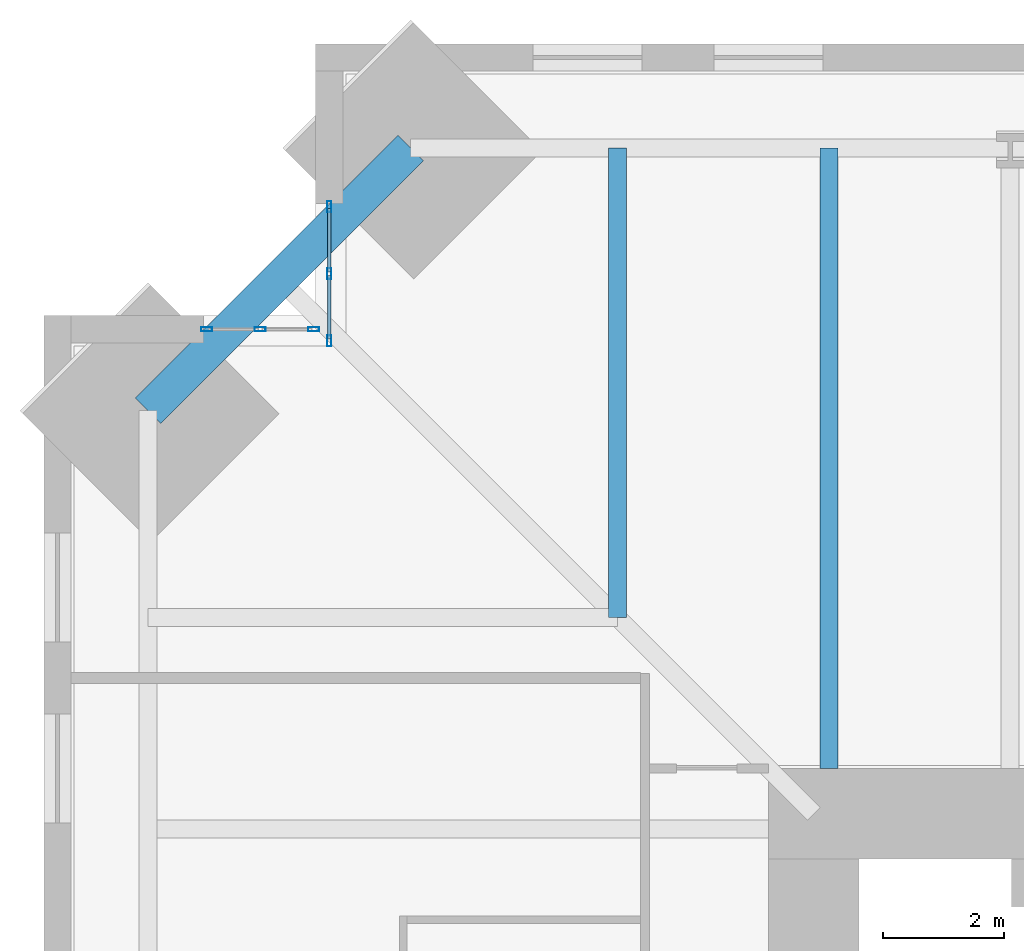
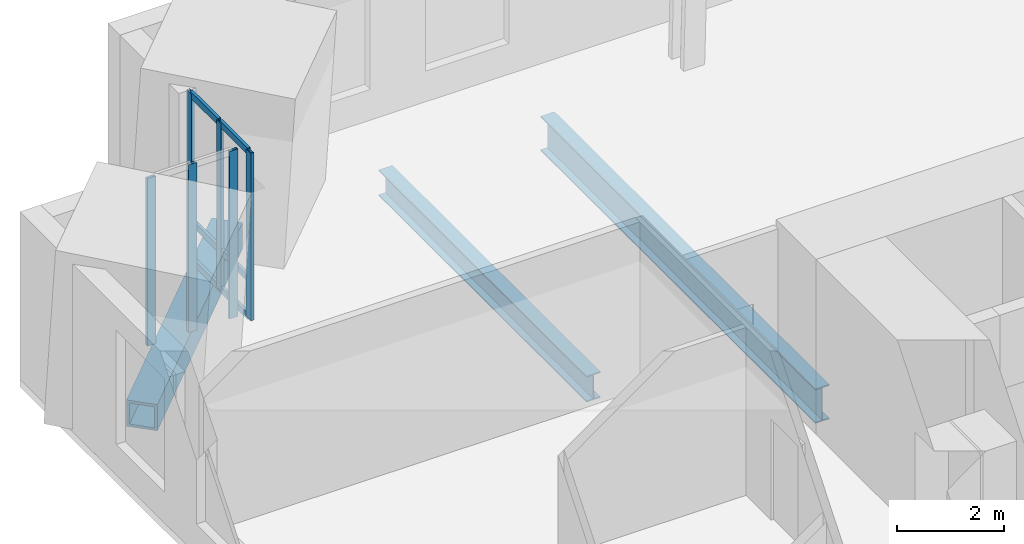
# One storey, part 6 of 15: 12 members, 3 beams, 2 elements without a shape of their own.
"""IFC4 building model written with IfcOpenShell, lengths in metres."""

import ifcopenshell
import ifcopenshell.guid

model = None  # the IFC model being written
_history = None  # IfcOwnerHistory: only IFC2X3 demands one
_inside = {}  # id of a spatial element -> (the spatial element, [elements in it])
_under = {}  # id of a project, library or spatial element -> (it, [spatial elements below it])
_declared = {}  # id of a project -> (the project, [libraries it declares])
_typed = {}  # id of a type object -> (the type object, [elements of that type])
_made_of = {}  # id of a material, layer set ... -> (it, [elements and type objects made of it])


def new_model(schema):
    """Start an empty IFC model of exactly this schema.

    Asked for "IFC4X3", IfcOpenShell would pick the latest addendum, in which some entities
    have other attributes; the version numbers below select the first issue.
    IFC2X3 requires an IfcOwnerHistory on every rooted entity: one is made here for all.
    """
    global model, _history
    if schema == "IFC4X3":
        model = ifcopenshell.file(schema_version=(4, 3, 0, 0))
    else:
        model = ifcopenshell.file(schema=schema)
    _inside.clear()
    _under.clear()
    _declared.clear()
    _typed.clear()
    _made_of.clear()
    _history = None
    if model.schema == "IFC2X3":
        org = make("IfcOrganization", Name="unknown")
        user = make(
            "IfcPersonAndOrganization",
            ThePerson=make("IfcPerson", FamilyName="unknown"),
            TheOrganization=org,
        )
        app = make(
            "IfcApplication",
            ApplicationDeveloper=org,
            Version="unknown",
            ApplicationFullName="unknown",
            ApplicationIdentifier="unknown",
        )
        _history = make(
            "IfcOwnerHistory",
            OwningUser=user,
            OwningApplication=app,
            ChangeAction="ADDED",
            CreationDate=0,
        )
    return model


def make(cls, **values):
    """One entity of the class cls with the attributes given. An attribute that is None is left unset."""
    return model.create_entity(
        cls, **{name: value for name, value in values.items() if value is not None}
    )


def rooted(cls, **values):
    """An entity with a GlobalId (a new one), such as an element, a storey or a relation."""
    return make(cls, GlobalId=ifcopenshell.guid.new(), OwnerHistory=_history, **values)


def si_unit(unit_type, name, prefix=None):
    """IfcSIUnit, for example si_unit("LENGTHUNIT", "METRE", prefix="MILLI")."""
    return make("IfcSIUnit", UnitType=unit_type, Prefix=prefix, Name=name)


def assignment(units):
    """IfcUnitAssignment: the units of a project."""
    return None if units is None else make("IfcUnitAssignment", Units=units)


def point(xyz):
    """IfcCartesianPoint."""
    return None if xyz is None else make("IfcCartesianPoint", Coordinates=xyz)


def direction(xyz):
    """IfcDirection."""
    return None if xyz is None else make("IfcDirection", DirectionRatios=xyz)


def frame(location, z_axis=None, x_axis=None):
    """IfcAxis2Placement3D, a coordinate frame: its origin and axes. An axis left out is left unset."""
    return make(
        "IfcAxis2Placement3D",
        Location=point(location),
        Axis=direction(z_axis),
        RefDirection=direction(x_axis),
    )


def frame_2d(location, x_axis=None):
    """IfcAxis2Placement2D, a coordinate frame in the plane: its origin and x axis."""
    return make(
        "IfcAxis2Placement2D", Location=point(location), RefDirection=direction(x_axis)
    )


def origin():
    """The frame at (0, 0, 0) with its axes left unset."""
    return frame((0.0, 0.0, 0.0))


def origin_2d():
    """The frame at (0, 0) in the plane with its x axis left unset."""
    return frame_2d((0.0, 0.0))


def place(relative_to, where):
    """IfcLocalPlacement: puts the frame where relative to a parent placement (None: the world)."""
    return make(
        "IfcLocalPlacement", PlacementRelTo=relative_to, RelativePlacement=where
    )


def context(
    kind, dimensions, precision=None, world=None, true_north=None, identifier=None
):
    """IfcGeometricRepresentationContext, for example the 3D "Model" context."""
    return make(
        "IfcGeometricRepresentationContext",
        ContextIdentifier=identifier,
        ContextType=kind,
        CoordinateSpaceDimension=dimensions,
        Precision=precision,
        WorldCoordinateSystem=world,
        TrueNorth=true_north,
    )


def subcontext(parent, identifier, kind, view, scale=None):
    """IfcGeometricRepresentationSubContext, for example "Body" below "Model"."""
    return make(
        "IfcGeometricRepresentationSubContext",
        ContextIdentifier=identifier,
        ContextType=kind,
        ParentContext=parent,
        TargetScale=scale,
        TargetView=view,
    )


def project(units=None, contexts=None):
    """IfcProject with its units and contexts."""
    return rooted(
        "IfcProject",
        Name="project",
        RepresentationContexts=contexts,
        UnitsInContext=assignment(units),
    )


def spatial(cls, under=None, at=None, **own):
    """A site, building, storey or space (cls), placed at a placement, below another one or the project."""
    s = rooted(cls, ObjectPlacement=at, **own)
    if under is not None:
        _under.setdefault(under.id(), (under, []))[1].append(s)
    return s


def profile(cls, at=None, kind="AREA", **sizes):
    """A parametric profile (cls). Its sizes go by their IFC names, for example OverallWidth=200.0."""
    return make(cls, ProfileType=kind, Position=at, **sizes)


def hollow_rectangle(**sizes):
    """IfcRectangleHollowProfileDef."""
    return profile("IfcRectangleHollowProfileDef", **sizes)


def i_section(**sizes):
    """IfcIShapeProfileDef."""
    return profile("IfcIShapeProfileDef", **sizes)


def extrude(swept, where, along, depth):
    """IfcExtrudedAreaSolid: the profile swept, set in the frame where, extruded along a direction by depth."""
    return make(
        "IfcExtrudedAreaSolid",
        SweptArea=swept,
        Position=where,
        ExtrudedDirection=direction(along),
        Depth=depth,
    )


def shape(context_of_items, identifier, shape_type, items):
    """IfcShapeRepresentation: the items that make up one representation, for example the "Body"."""
    return make(
        "IfcShapeRepresentation",
        ContextOfItems=context_of_items,
        RepresentationIdentifier=identifier,
        RepresentationType=shape_type,
        Items=items,
    )


def material(Name=None, Category=None):
    """IfcMaterial."""
    return make("IfcMaterial", Name=Name, Category=Category)


def material_profile(
    of_material, cross_section, Name=None, Category=None, Priority=None
):
    """IfcMaterialProfile: a cross section and its material."""
    return make(
        "IfcMaterialProfile",
        Name=Name,
        Material=of_material,
        Profile=cross_section,
        Priority=Priority,
        Category=Category,
    )


def profile_set(profiles, Name=None, composite=None):
    """IfcMaterialProfileSet."""
    return make(
        "IfcMaterialProfileSet",
        Name=Name,
        MaterialProfiles=profiles,
        CompositeProfile=composite,
    )


def made_of(thing, what):
    """Note that an element or type object is made of a material, layer set ...; save() writes the relation."""
    if what is not None:
        _made_of.setdefault(what.id(), (what, []))[1].append(thing)
    return thing


def type_object(cls, material=None, **own):
    """A type object (cls), such as IfcWallType, which elements share."""
    return made_of(rooted(cls, **own), material)


def element(
    cls,
    number,
    at=None,
    inside=None,
    cuts=None,
    type_object=None,
    material=None,
    context=None,
    identifier="Body",
    shape_type=None,
    held_by="IfcProductDefinitionShape",
    body=None,
    shapes=None,
    **own,
):
    """One element of the class cls, such as IfcWall. Its Tag is "e" and its number.

    at: its placement. inside: the storey or other place that contains it. cuts: it is an
    opening in that element (IfcRelVoidsElement). A single representation is given by context,
    identifier, shape_type and body (its items); several are given by shapes. held_by: the class
    of the entity that holds the representations. save() writes the other relations.
    """
    e = rooted(cls, Tag="e%d" % number, ObjectPlacement=at, **own)
    if body is not None:
        shapes = [shape(context, identifier, shape_type, body)]
    if shapes is not None:
        e.Representation = make(held_by, Representations=shapes)
    if inside is not None:
        _inside.setdefault(inside.id(), (inside, []))[1].append(e)
    if cuts is not None:
        rooted(
            "IfcRelVoidsElement", RelatingBuildingElement=cuts, RelatedOpeningElement=e
        )
    if type_object is not None:
        _typed.setdefault(type_object.id(), (type_object, []))[1].append(e)
    return made_of(e, material)


def aggregate(whole, parts):
    """IfcRelAggregates: a whole, such as a stair, and the parts it consists of."""
    return rooted("IfcRelAggregates", RelatingObject=whole, RelatedObjects=parts)


def save(model, path):
    """Write the relations noted so far, then the file.

    IfcRelAggregates (storeys below a building ...), IfcRelContainedInSpatialStructure (elements
    in a storey), IfcRelDefinesByType, IfcRelAssociatesMaterial and IfcRelDeclares: one each for
    every whole, place, type object, material and project.
    """
    for whole, parts in _under.values():
        aggregate(whole, parts)
    for where, things in _inside.values():
        rooted(
            "IfcRelContainedInSpatialStructure",
            RelatedElements=things,
            RelatingStructure=where,
        )
    for kind, things in _typed.values():
        rooted("IfcRelDefinesByType", RelatedObjects=things, RelatingType=kind)
    for what, things in _made_of.values():
        rooted("IfcRelAssociatesMaterial", RelatedObjects=things, RelatingMaterial=what)
    for by, libraries in _declared.values():
        rooted("IfcRelDeclares", RelatingContext=by, RelatedDefinitions=libraries)
    model.write(path)


model = new_model("IFC4")

# Units and contexts
model_context = context("Model", 3, precision=1e-05, world=origin(), true_north=direction((0.0, 1.0)))
body_context = subcontext(model_context, "Body", "Model", "MODEL_VIEW")
ifc_project = project(units=[si_unit("LENGTHUNIT", "METRE"), si_unit("AREAUNIT", "SQUARE_METRE"), si_unit("VOLUMEUNIT", "CUBIC_METRE"), si_unit("PLANEANGLEUNIT", "RADIAN"), si_unit("MASSUNIT", "GRAM", prefix="KILO")], contexts=[model_context])

# Site, building, storey
site_placement = place(None, origin())
site = spatial("IfcSite", under=ifc_project, at=site_placement, CompositionType="ELEMENT")
building_placement = place(site_placement, origin())
building = spatial("IfcBuilding", under=site, at=building_placement, Name="Peilmerk Tower", CompositionType="ELEMENT")
storey_placement = place(building_placement, frame((0.0, 0.0, 213.800048828125)))
storey = spatial("IfcBuildingStorey", under=building, at=storey_placement, Name="L46", CompositionType="ELEMENT", Elevation=213.800048828125)

# Beams
ifc_material_1 = material(Name="Steel S460", Category="steel")
ifc_material_profile_1 = material_profile(ifc_material_1, hollow_rectangle(XDim=0.60009765625, YDim=0.60009765625, WallThickness=0.06005859375, at=origin_2d()), Name="BOX 600x600x60")
ifc_profile_set_1 = profile_set([ifc_material_profile_1], Name="Steel S460")
beam_type_1 = type_object("IfcBeamType", Name="B20 BOX 600x600x60 notch beam", PredefinedType="SPANDREL", material=ifc_profile_set_1)
beam_1_placement = place(storey_placement, frame((-22.27587890625, 17.92578125, -0.469970703125), z_axis=(0.707106781187, 0.707106781187, 0.0), x_axis=(-0.707106781187, 0.707106781187, 0.0)))
element("IfcBeam", 1, at=beam_1_placement, inside=storey, type_object=beam_type_1, Name="Notch beam L46", PredefinedType="SPANDREL", context=body_context, shape_type="SweptSolid", body=[
    extrude(hollow_rectangle(XDim=0.60009765625, YDim=0.60009765625, WallThickness=0.06005859375, at=origin_2d()), origin(), (0.0, 0.0, 1.0), 6.15185546875),
])
ifc_material_2 = material(Name="Steel S355", Category="steel")
ifc_material_profile_2 = material_profile(ifc_material_2, i_section(OverallWidth=0.300048828125, OverallDepth=0.590087890625, WebThickness=0.012939453125, FlangeThickness=0.02490234375, at=origin_2d()), Name="HEA 600")
ifc_profile_set_2 = profile_set([ifc_material_profile_2], Name="Steel S355")
beam_type_2 = type_object("IfcBeamType", Name="B27 HEA 600 floor beam", PredefinedType="BEAM", material=ifc_profile_set_2)
beam_2_placement = place(storey_placement, frame((-14.5, 14.5, -0.465087890625), z_axis=(0.0, 1.0, 0.0), x_axis=(-1.0, 0.0, 0.0)))
element("IfcBeam", 2, at=beam_2_placement, inside=storey, type_object=beam_type_2, Name="Floor beam L46", PredefinedType="BEAM", context=body_context, shape_type="SweptSolid", body=[
    extrude(i_section(OverallWidth=0.300048828125, OverallDepth=0.590087890625, WebThickness=0.012939453125, FlangeThickness=0.02490234375, at=origin_2d()), origin(), (0.0, 0.0, 1.0), 7.77587890625),
])
ifc_material_profile_3 = material_profile(ifc_material_2, i_section(OverallWidth=0.300048828125, OverallDepth=0.7900390625, WebThickness=0.014892578125, FlangeThickness=0.028076171875, at=origin_2d()), Name="HEA 800")
ifc_profile_set_3 = profile_set([ifc_material_profile_3], Name="Steel S355")
beam_type_3 = type_object("IfcBeamType", Name="B3 HEA 800 floor beam", PredefinedType="BEAM", material=ifc_profile_set_3)
beam_3_placement = place(storey_placement, frame((-11.0, 12.0, -0.56494140625), z_axis=(0.0, 1.0, 0.0), x_axis=(-1.0, 0.0, 0.0)))
element("IfcBeam", 3, at=beam_3_placement, inside=storey, type_object=beam_type_3, Name="Floor beam L46", PredefinedType="BEAM", context=body_context, shape_type="SweptSolid", body=[
    extrude(i_section(OverallWidth=0.300048828125, OverallDepth=0.7900390625, WebThickness=0.014892578125, FlangeThickness=0.028076171875, at=origin_2d()), origin(), (0.0, 0.0, 1.0), 10.27587890625),
])

# Curtain wall, members
ifc_material_3 = material(Name="Aluminium stick curtain wall", Category="aluminium")
curtain_wall_type = type_object("IfcCurtainWallType", Name="CW4 stick curtain wall, 2250 module", PredefinedType="NOTDEFINED", material=ifc_material_3)
curtain_wall_1_placement = place(storey_placement, origin())
curtain_wall_1 = element("IfcCurtainWall", 4, at=curtain_wall_1_placement, inside=storey, type_object=curtain_wall_type, Name="Curtain wall CW4 NWA L46", PredefinedType="NOTDEFINED")
ifc_material_4 = material(Name="Aluminium EN AW-6063 T6", Category="aluminium")
ifc_material_profile_4 = material_profile(ifc_material_4, hollow_rectangle(XDim=0.06494140625, YDim=0.179931640625, WallThickness=0.0029296875, at=origin_2d()), Name="AL 180x65x3")
ifc_profile_set_4 = profile_set([ifc_material_profile_4], Name="Aluminium EN AW-6063 T6")
member_type_1 = type_object("IfcMemberType", Name="CW4-M AL 180x65x3 mullion", PredefinedType="MULLION", material=ifc_profile_set_4)
member_1_placement = place(storey_placement, frame((-19.27490234375, 19.08251953125, 0.0), z_axis=(0.0, 0.0, 1.0), x_axis=(-1.0, 0.0, 0.0)))
member_1 = element("IfcMember", 5, at=member_1_placement, type_object=member_type_1, Name="CW4 mullion 1", PredefinedType="MULLION", context=body_context, shape_type="SweptSolid", body=[
    extrude(hollow_rectangle(XDim=0.06494140625, YDim=0.179931640625, WallThickness=0.0029296875, at=origin_2d()), origin(), (0.0, 0.0, 1.0), 3.829833984375),
])
member_2_placement = place(storey_placement, frame((-19.27490234375, 20.1943359375, 0.0), z_axis=(0.0, 0.0, 1.0), x_axis=(-1.0, 0.0, 0.0)))
member_2 = element("IfcMember", 6, at=member_2_placement, type_object=member_type_1, Name="CW4 mullion 2", PredefinedType="MULLION", context=body_context, shape_type="SweptSolid", body=[
    extrude(hollow_rectangle(XDim=0.06494140625, YDim=0.179931640625, WallThickness=0.0029296875, at=origin_2d()), origin(), (0.0, 0.0, 1.0), 3.829833984375),
])
member_3_placement = place(storey_placement, frame((-19.27490234375, 21.30615234375, 0.0), z_axis=(0.0, 0.0, 1.0), x_axis=(-1.0, 0.0, 0.0)))
member_3 = element("IfcMember", 7, at=member_3_placement, type_object=member_type_1, Name="CW4 mullion 3", PredefinedType="MULLION", context=body_context, shape_type="SweptSolid", body=[
    extrude(hollow_rectangle(XDim=0.06494140625, YDim=0.179931640625, WallThickness=0.0029296875, at=origin_2d()), origin(), (0.0, 0.0, 1.0), 3.829833984375),
])

curtain_wall_2_placement = place(storey_placement, origin())
curtain_wall_2 = element("IfcCurtainWall", 8, at=curtain_wall_2_placement, inside=storey, type_object=curtain_wall_type, Name="Curtain wall CW4 NWB L46", PredefinedType="NOTDEFINED")
member_4_placement = place(storey_placement, frame((-19.532470703125, 19.27490234375, 0.0), z_axis=(0.0, 0.0, 1.0), x_axis=(0.0, -1.0, 0.0)))
member_4 = element("IfcMember", 9, at=member_4_placement, type_object=member_type_1, Name="CW4 mullion 1", PredefinedType="MULLION", context=body_context, shape_type="SweptSolid", body=[
    extrude(hollow_rectangle(XDim=0.06494140625, YDim=0.179931640625, WallThickness=0.0029296875, at=origin_2d()), origin(), (0.0, 0.0, 1.0), 3.829833984375),
])
member_5_placement = place(storey_placement, frame((-20.41943359375, 19.27490234375, 0.0), z_axis=(0.0, 0.0, 1.0), x_axis=(0.0, -1.0, 0.0)))
member_5 = element("IfcMember", 10, at=member_5_placement, type_object=member_type_1, Name="CW4 mullion 2", PredefinedType="MULLION", context=body_context, shape_type="SweptSolid", body=[
    extrude(hollow_rectangle(XDim=0.06494140625, YDim=0.179931640625, WallThickness=0.0029296875, at=origin_2d()), origin(), (0.0, 0.0, 1.0), 3.829833984375),
])
member_6_placement = place(storey_placement, frame((-21.30615234375, 19.27490234375, 0.0), z_axis=(0.0, 0.0, 1.0), x_axis=(0.0, -1.0, 0.0)))
member_6 = element("IfcMember", 11, at=member_6_placement, type_object=member_type_1, Name="CW4 mullion 3", PredefinedType="MULLION", context=body_context, shape_type="SweptSolid", body=[
    extrude(hollow_rectangle(XDim=0.06494140625, YDim=0.179931640625, WallThickness=0.0029296875, at=origin_2d()), origin(), (0.0, 0.0, 1.0), 3.829833984375),
])
aggregate(curtain_wall_2, [member_4, member_5, member_6])

# Member
ifc_material_profile_5 = material_profile(ifc_material_4, hollow_rectangle(XDim=0.06494140625, YDim=0.14990234375, WallThickness=0.0029296875, at=origin_2d()), Name="AL 150x65x3")
ifc_profile_set_5 = profile_set([ifc_material_profile_5], Name="Aluminium EN AW-6063 T6")
member_type_2 = type_object("IfcMemberType", Name="CW4-T AL 150x65x3 transom", PredefinedType="USERDEFINED", material=ifc_profile_set_5)
member_7_placement = place(storey_placement, frame((-19.27490234375, 19.114990234375, 0.032470703125), z_axis=(0.0, 1.0, 0.0), x_axis=(-1.0, 0.0, 0.0)))
member_7 = element("IfcMember", 12, at=member_7_placement, type_object=member_type_2, Name="CW4 transom 1.1", ObjectType="TRANSOM", PredefinedType="USERDEFINED", context=body_context, shape_type="SweptSolid", body=[
    extrude(hollow_rectangle(XDim=0.06494140625, YDim=0.14990234375, WallThickness=0.0029296875, at=origin_2d()), origin(), (0.0, 0.0, 1.0), 1.046875),
])

member_8_placement = place(storey_placement, frame((-19.27490234375, 19.114990234375, 0.89990234375), z_axis=(0.0, 1.0, 0.0), x_axis=(-1.0, 0.0, 0.0)))
member_8 = element("IfcMember", 13, at=member_8_placement, type_object=member_type_2, Name="CW4 transom 1.2", ObjectType="TRANSOM", PredefinedType="USERDEFINED", context=body_context, shape_type="SweptSolid", body=[
    extrude(hollow_rectangle(XDim=0.06494140625, YDim=0.14990234375, WallThickness=0.0029296875, at=origin_2d()), origin(), (0.0, 0.0, 1.0), 1.046875),
])

member_9_placement = place(storey_placement, frame((-19.27490234375, 19.114990234375, 3.79736328125), z_axis=(0.0, 1.0, 0.0), x_axis=(-1.0, 0.0, 0.0)))
member_9 = element("IfcMember", 14, at=member_9_placement, type_object=member_type_2, Name="CW4 transom 1.3", ObjectType="TRANSOM", PredefinedType="USERDEFINED", context=body_context, shape_type="SweptSolid", body=[
    extrude(hollow_rectangle(XDim=0.06494140625, YDim=0.14990234375, WallThickness=0.0029296875, at=origin_2d()), origin(), (0.0, 0.0, 1.0), 1.046875),
])

member_10_placement = place(storey_placement, frame((-19.27490234375, 20.226806640625, 0.032470703125), z_axis=(0.0, 1.0, 0.0), x_axis=(-1.0, 0.0, 0.0)))
member_10 = element("IfcMember", 15, at=member_10_placement, type_object=member_type_2, Name="CW4 transom 2.1", ObjectType="TRANSOM", PredefinedType="USERDEFINED", context=body_context, shape_type="SweptSolid", body=[
    extrude(hollow_rectangle(XDim=0.06494140625, YDim=0.14990234375, WallThickness=0.0029296875, at=origin_2d()), origin(), (0.0, 0.0, 1.0), 1.046875),
])

member_11_placement = place(storey_placement, frame((-19.27490234375, 20.226806640625, 0.89990234375), z_axis=(0.0, 1.0, 0.0), x_axis=(-1.0, 0.0, 0.0)))
member_11 = element("IfcMember", 16, at=member_11_placement, type_object=member_type_2, Name="CW4 transom 2.2", ObjectType="TRANSOM", PredefinedType="USERDEFINED", context=body_context, shape_type="SweptSolid", body=[
    extrude(hollow_rectangle(XDim=0.06494140625, YDim=0.14990234375, WallThickness=0.0029296875, at=origin_2d()), origin(), (0.0, 0.0, 1.0), 1.046875),
])

member_12_placement = place(storey_placement, frame((-19.27490234375, 20.226806640625, 3.79736328125), z_axis=(0.0, 1.0, 0.0), x_axis=(-1.0, 0.0, 0.0)))
member_12 = element("IfcMember", 17, at=member_12_placement, type_object=member_type_2, Name="CW4 transom 2.3", ObjectType="TRANSOM", PredefinedType="USERDEFINED", context=body_context, shape_type="SweptSolid", body=[
    extrude(hollow_rectangle(XDim=0.06494140625, YDim=0.14990234375, WallThickness=0.0029296875, at=origin_2d()), origin(), (0.0, 0.0, 1.0), 1.046875),
])

aggregate(curtain_wall_1, [member_1, member_2, member_3, member_7, member_8, member_9, member_10, member_11, member_12])

save(model, "model.ifc")
